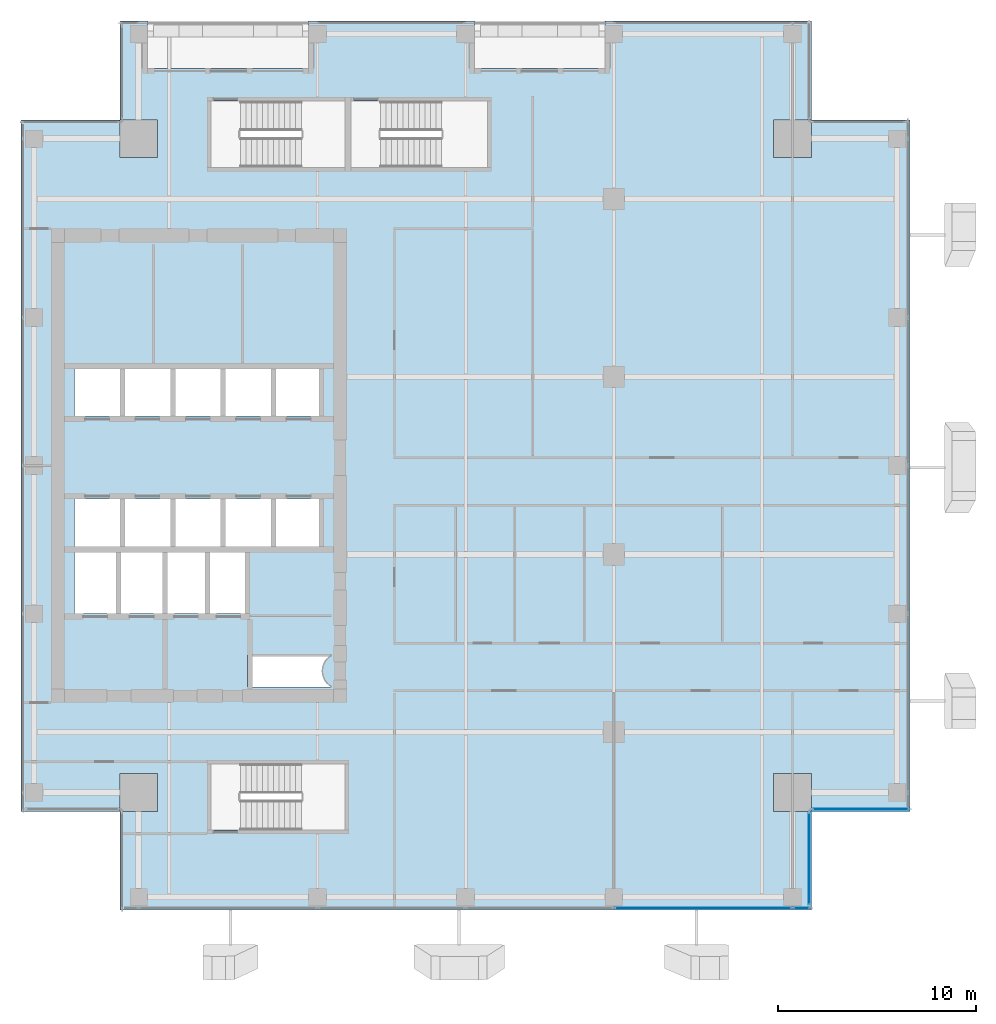
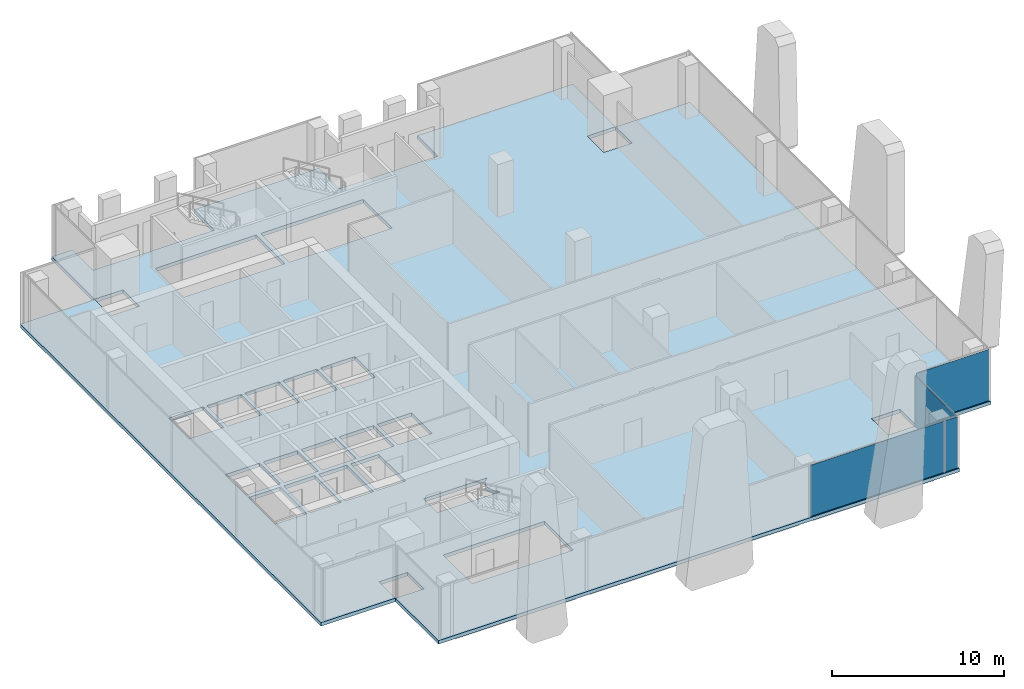
# One storey, part 27 of 36: 4 plates, 1 slab, 3 elements without a shape of their own.
"""IFC4 building model written with IfcOpenShell, lengths in metres."""

from ifc_helpers import new_model, si_unit, direction, frame, origin, origin_2d, place, context, subcontext, project, spatial, polyline, rectangle, outline, extrude, source, transform, mapped, material, layer, layer_set, type_object, element, aggregate, save


model = new_model("IFC4")

# Units and contexts
model_context = context("Model", 3, precision=1e-05, world=origin(), true_north=direction((0.0, 1.0)))
body_context = subcontext(model_context, "Body", "Model", "MODEL_VIEW")
ifc_project = project(units=[si_unit("LENGTHUNIT", "METRE"), si_unit("AREAUNIT", "SQUARE_METRE"), si_unit("VOLUMEUNIT", "CUBIC_METRE"), si_unit("PLANEANGLEUNIT", "RADIAN"), si_unit("MASSUNIT", "GRAM", prefix="KILO")], contexts=[model_context])

# Site, building, storey
site_placement = place(None, origin())
site = spatial("IfcSite", under=ifc_project, at=site_placement, CompositionType="ELEMENT")
building_placement = place(site_placement, origin())
building = spatial("IfcBuilding", under=site, at=building_placement, Name="Khomas Fold Tower", CompositionType="ELEMENT")
storey_placement = place(building_placement, frame((0.0, 0.0, 238.199951171875)))
storey = spatial("IfcBuildingStorey", under=building, at=storey_placement, Name="L53", CompositionType="ELEMENT", Elevation=238.199951171875)

# Slab
ifc_material_1 = material(Name="Concrete C40/50", Category="concrete")
ifc_layer_1 = layer(ifc_material_1, 0.25)
ifc_layer_set_1 = layer_set([ifc_layer_1], Name="Concrete C40/50")
slab_type = type_object("IfcSlabType", Name="RC floor slab 250", PredefinedType="FLOOR", material=ifc_layer_set_1)
shared_shape_1 = source(origin(), body_context, "Body", "SweptSolid", [
    extrude(outline(polyline([(4.5, 9.5), (9.4951171875, 9.5), (9.4951171875, 11.405029296875), (11.405029296875, 11.405029296875), (11.405029296875, 9.4951171875), (9.5, 9.4951171875), (9.5, 4.5), (44.5, 4.5), (44.5, 9.4951171875), (42.594970703125, 9.4951171875), (42.594970703125, 11.405029296875), (44.5048828125, 11.405029296875), (44.5048828125, 9.5), (49.5, 9.5), (49.5, 44.5), (44.5048828125, 44.5), (44.5048828125, 42.594970703125), (42.594970703125, 42.594970703125), (42.594970703125, 44.5048828125), (44.5, 44.5048828125), (44.5, 49.5), (34.050048828125, 49.5), (34.050048828125, 47.10009765625), (27.449951171875, 47.10009765625), (27.449951171875, 49.5), (19.050048828125, 49.5), (19.050048828125, 47.10009765625), (10.89990234375, 47.10009765625), (10.89990234375, 49.5), (9.5, 49.5), (9.5, 44.5048828125), (11.405029296875, 44.5048828125), (11.405029296875, 42.594970703125), (9.4951171875, 42.594970703125), (9.4951171875, 44.5), (4.5, 44.5), (4.5, 9.5)]), holes=[polyline([(7.199951171875, 19.5), (7.199951171875, 22.60009765625), (9.300048828125, 22.60009765625), (9.300048828125, 19.5), (7.199951171875, 19.5)]), polyline([(7.199951171875, 22.89990234375), (7.199951171875, 25.300048828125), (9.5, 25.300048828125), (9.5, 22.89990234375), (7.199951171875, 22.89990234375)]), polyline([(7.199951171875, 29.5), (7.199951171875, 31.89990234375), (9.5, 31.89990234375), (9.5, 29.5), (7.199951171875, 29.5)]), polyline([(9.550048828125, 19.5), (9.550048828125, 22.60009765625), (11.64990234375, 22.60009765625), (11.64990234375, 19.5), (9.550048828125, 19.5)]), polyline([(9.75, 22.89990234375), (9.75, 25.300048828125), (12.050048828125, 25.300048828125), (12.050048828125, 22.89990234375), (9.75, 22.89990234375)]), polyline([(9.75, 29.5), (9.75, 31.89990234375), (12.050048828125, 31.89990234375), (12.050048828125, 29.5), (9.75, 29.5)]), polyline([(11.89990234375, 19.5), (11.89990234375, 22.60009765625), (13.800048828125, 22.60009765625), (13.800048828125, 19.5), (11.89990234375, 19.5)]), polyline([(12.300048828125, 22.89990234375), (12.300048828125, 25.300048828125), (14.60009765625, 25.300048828125), (14.60009765625, 22.89990234375), (12.300048828125, 22.89990234375)]), polyline([(12.300048828125, 29.5), (12.300048828125, 31.89990234375), (14.60009765625, 31.89990234375), (14.60009765625, 29.5), (12.300048828125, 29.5)]), polyline([(14.050048828125, 19.5), (14.050048828125, 22.60009765625), (15.949951171875, 22.60009765625), (15.949951171875, 19.5), (14.050048828125, 19.5)]), polyline([(14.10009765625, 8.550048828125), (14.10009765625, 11.89990234375), (20.89990234375, 11.89990234375), (20.89990234375, 8.550048828125), (14.10009765625, 8.550048828125)]), polyline([(14.10009765625, 42.10009765625), (14.10009765625, 45.449951171875), (20.89990234375, 45.449951171875), (20.89990234375, 42.10009765625), (14.10009765625, 42.10009765625)]), polyline([(14.85009765625, 22.89990234375), (14.85009765625, 25.300048828125), (17.14990234375, 25.300048828125), (17.14990234375, 22.89990234375), (14.85009765625, 22.89990234375)]), polyline([(14.85009765625, 29.5), (14.85009765625, 31.89990234375), (17.14990234375, 31.89990234375), (17.14990234375, 29.5), (14.85009765625, 29.5)]), polyline([(15.949951171875, 15.800048828125), (15.949951171875, 17.39990234375), (20.199951171875, 17.39990234375), (20.199951171875, 17.37841796875), (20.14990234375, 17.348388671875), (20.0791015625, 17.295654296875), (20.013671875, 17.236328125), (19.954345703125, 17.1708984375), (19.901611328125, 17.10009765625), (19.856201171875, 17.0244140625), (19.818603515625, 16.9443359375), (19.788818359375, 16.861328125), (19.767333984375, 16.775634765625), (19.75439453125, 16.688232421875), (19.75, 16.60009765625), (19.75439453125, 16.51171875), (19.767333984375, 16.42431640625), (19.788818359375, 16.338623046875), (19.818603515625, 16.255615234375), (19.856201171875, 16.17578125), (19.901611328125, 16.10009765625), (19.954345703125, 16.029052734375), (20.013671875, 15.963623046875), (20.0791015625, 15.904296875), (20.14990234375, 15.851806640625), (20.199951171875, 15.82177734375), (20.199951171875, 15.800048828125), (15.949951171875, 15.800048828125)]), polyline([(17.39990234375, 22.89990234375), (17.39990234375, 25.300048828125), (19.699951171875, 25.300048828125), (19.699951171875, 22.89990234375), (17.39990234375, 22.89990234375)]), polyline([(17.39990234375, 29.5), (17.39990234375, 31.89990234375), (19.699951171875, 31.89990234375), (19.699951171875, 29.5), (17.39990234375, 29.5)]), polyline([(21.199951171875, 42.10009765625), (21.199951171875, 45.449951171875), (28.10009765625, 45.449951171875), (28.10009765625, 42.10009765625), (21.199951171875, 42.10009765625)])]), origin(), (0.0, 0.0, 1.0), 0.25),
])
slab_placement = place(storey_placement, frame((0.0, 0.0, -0.25)))
element("IfcSlab", 1, at=slab_placement, inside=storey, type_object=slab_type, Name="S-L53", PredefinedType="FLOOR", context=body_context, shape_type="MappedRepresentation", body=[
    mapped(shared_shape_1, transform((0.0, 0.0, 0.0))),
])

# Curtain wall, plates
ifc_material_2 = material(Name="Aluminium framed double glazing", Category="aluminium")
curtain_wall_type = type_object("IfcCurtainWallType", Name="SK-Unitised clear-glass wall, office floors CW2", PredefinedType="NOTDEFINED", material=ifc_material_2)
curtain_wall_1_placement = place(storey_placement, origin())
curtain_wall_1 = element("IfcCurtainWall", 2, at=curtain_wall_1_placement, inside=storey, type_object=curtain_wall_type, Name="CW2 run L53 00-0", PredefinedType="NOTDEFINED")
ifc_material_3 = material(Name="Clear double glazed unit")
ifc_layer_2 = layer(ifc_material_3, 0.030029296875)
ifc_layer_set_2 = layer_set([ifc_layer_2], Name="Clear double glazed unit")
plate_type = type_object("IfcPlateType", Name="SK-Unitised clear-glass wall, office floors glass panel CW2-P", PredefinedType="CURTAIN_PANEL", material=ifc_layer_set_2)
shared_shape_2 = source(origin(), body_context, "Body", "SweptSolid", [
    extrude(rectangle(XDim=0.860107421875, YDim=0.030029296875, at=origin_2d()), origin(), (0.0, 0.0, 1.0), 3.639892578125),
])
plate_1_placement = place(storey_placement, frame((44.010009765625, 4.60009765625, 0.0), z_axis=(0.0, 0.0, 1.0), x_axis=(1.0, 0.0, 0.0)))
plate_1 = element("IfcPlate", 3, at=plate_1_placement, type_object=plate_type, Name="CW2 glass panel 6", PredefinedType="CURTAIN_PANEL", context=body_context, shape_type="MappedRepresentation", body=[
    mapped(shared_shape_2, transform((0.0, 0.0, 0.0))),
])
shared_shape_3 = source(origin(), body_context, "Body", "SweptSolid", [
    extrude(rectangle(XDim=8.989990234375, YDim=0.030029296875, at=origin_2d()), origin(), (0.0, 0.0, 1.0), 3.639892578125),
])
plate_2_placement = place(storey_placement, frame((39.02490234375, 4.60009765625, 0.0), z_axis=(0.0, 0.0, 1.0), x_axis=(1.0, 0.0, 0.0)))
plate_2 = element("IfcPlate", 4, at=plate_2_placement, type_object=plate_type, Name="CW2 glass panel 5", PredefinedType="CURTAIN_PANEL", context=body_context, shape_type="MappedRepresentation", body=[
    mapped(shared_shape_3, transform((0.0, 0.0, 0.0))),
])
aggregate(curtain_wall_1, [plate_2, plate_1])

# Curtain wall, plate
curtain_wall_2_placement = place(storey_placement, origin())
curtain_wall_2 = element("IfcCurtainWall", 5, at=curtain_wall_2_placement, inside=storey, type_object=curtain_wall_type, Name="CW2 corner return L53 01", PredefinedType="NOTDEFINED")
shared_shape_4 = source(origin(), body_context, "Body", "SweptSolid", [
    extrude(rectangle(XDim=4.679931640625, YDim=0.030029296875, at=origin_2d()), origin(), (0.0, 0.0, 1.0), 3.639892578125),
])
plate_3_placement = place(storey_placement, frame((44.39990234375, 7.10009765625, 0.0), z_axis=(0.0, 0.0, 1.0), x_axis=(0.0, 1.0, 0.0)))
plate_3 = element("IfcPlate", 6, at=plate_3_placement, type_object=plate_type, Name="CW2 glass panel 1", PredefinedType="CURTAIN_PANEL", context=body_context, shape_type="MappedRepresentation", body=[
    mapped(shared_shape_4, transform((0.0, 0.0, 0.0))),
])
aggregate(curtain_wall_2, [plate_3])

curtain_wall_3_placement = place(storey_placement, origin())
curtain_wall_3 = element("IfcCurtainWall", 7, at=curtain_wall_3_placement, inside=storey, type_object=curtain_wall_type, Name="CW2 corner return L53 02", PredefinedType="NOTDEFINED")
shared_shape_5 = source(origin(), body_context, "Body", "SweptSolid", [
    extrude(rectangle(XDim=4.8798828125, YDim=0.030029296875, at=origin_2d()), origin(), (0.0, 0.0, 1.0), 3.639892578125),
])
plate_4_placement = place(storey_placement, frame((47.0, 9.60009765625, 0.0), z_axis=(0.0, 0.0, 1.0), x_axis=(1.0, 0.0, 0.0)))
plate_4 = element("IfcPlate", 8, at=plate_4_placement, type_object=plate_type, Name="CW2 glass panel 1", PredefinedType="CURTAIN_PANEL", context=body_context, shape_type="MappedRepresentation", body=[
    mapped(shared_shape_5, transform((0.0, 0.0, 0.0))),
])
aggregate(curtain_wall_3, [plate_4])

save(model, "model.ifc")
